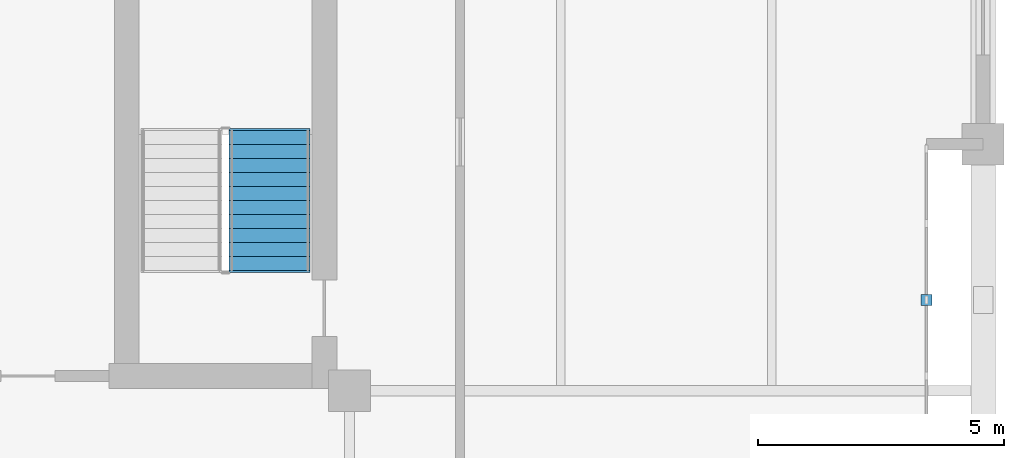
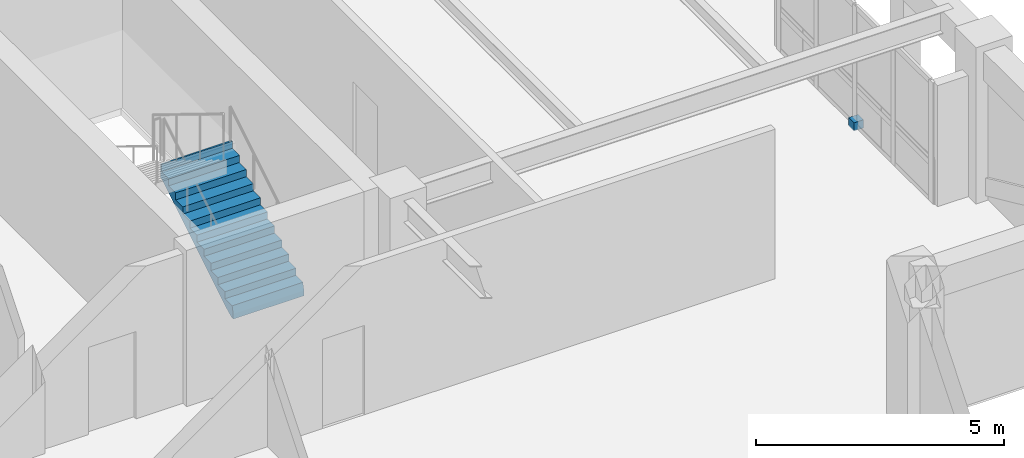
# One storey, part 7 of 8: 1 discrete accessory, 1 stair flight, 1 element without a shape of its own.
"""IFC4 building model written with IfcOpenShell, lengths in metres."""

from ifc_helpers import new_model, si_unit, direction, frame, origin, origin_2d, place, context, subcontext, project, spatial, polyline, rectangle, outline, extrude, material, type_object, element, aggregate, save


model = new_model("IFC4")

# Units and contexts
model_context = context("Model", 3, precision=1e-05, world=origin(), true_north=direction((0.0, 1.0)))
body_context = subcontext(model_context, "Body", "Model", "MODEL_VIEW")
ifc_project = project(units=[si_unit("LENGTHUNIT", "METRE"), si_unit("AREAUNIT", "SQUARE_METRE"), si_unit("VOLUMEUNIT", "CUBIC_METRE"), si_unit("PLANEANGLEUNIT", "RADIAN"), si_unit("MASSUNIT", "GRAM", prefix="KILO")], contexts=[model_context])

# Site, building, storey
site_placement = place(None, origin())
site = spatial("IfcSite", under=ifc_project, at=site_placement, CompositionType="ELEMENT")
building_placement = place(site_placement, origin())
building = spatial("IfcBuilding", under=site, at=building_placement, Name="Nhamokura Convention Tower", CompositionType="ELEMENT")
storey_placement = place(building_placement, frame((0.0, 0.0, 240.800048828125)))
storey = spatial("IfcBuildingStorey", under=building, at=storey_placement, Name="L59", CompositionType="ELEMENT", Elevation=240.800048828125)

# Stair, stair flight
ifc_material_1 = material(Name="Concrete C40/50", Category="concrete")
stair_type = type_object("IfcStairType", Name="TowerCoreStair_1650", PredefinedType="HALF_TURN_STAIR", material=ifc_material_1)
stair_placement = place(storey_placement, origin())
stair = element("IfcStair", 1, at=stair_placement, inside=storey, type_object=stair_type, Name="L59 East Core Smokeproof Stair ST-02", PredefinedType="HALF_TURN_STAIR")
ifc_material_2 = material(Name="Concrete C40/50", Category="concrete")
stair_flight_type = type_object("IfcStairFlightType", Name="TowerCoreStair_1650_Flight", PredefinedType="STRAIGHT", material=ifc_material_2)
stair_flight_placement = place(storey_placement, frame((41.72509765625, 23.10009765625, 0.0), z_axis=(0.0, 0.0, 1.0), x_axis=(0.0, 1.0, 0.0)))
stair_flight = element("IfcStairFlight", 2, at=stair_flight_placement, type_object=stair_flight_type, Name="ST-02 flight 1", NumberOfRisers=11, NumberOfTreads=10, PredefinedType="STRAIGHT", RiserHeight=0.175, TreadLength=0.285, context=body_context, shape_type="SweptSolid", body=[
    extrude(outline(polyline([(-0.0419921875, 0.0), (0.0, 0.175048828125), (0.284912109375, 0.175048828125), (0.284912109375, 0.35009765625), (0.570068359375, 0.35009765625), (0.570068359375, 0.52490234375), (0.85498046875, 0.52490234375), (0.85498046875, 0.699951171875), (1.139892578125, 0.699951171875), (1.139892578125, 0.875), (1.425048828125, 0.875), (1.425048828125, 1.050048828125), (1.7099609375, 1.050048828125), (1.7099609375, 1.22509765625), (1.9951171875, 1.22509765625), (1.9951171875, 1.39990234375), (2.280029296875, 1.39990234375), (2.280029296875, 1.574951171875), (2.56494140625, 1.574951171875), (2.56494140625, 1.75), (2.85009765625, 1.75), (2.85009765625, 1.925048828125), (2.89208984375, 1.925048828125), (2.89208984375, 1.573974609375), (2.85009765625, 1.573974609375), (0.286376953125, 0.0), (0.02001953125, -0.1298828125), (-0.0419921875, -0.1298828125), (-0.0419921875, 0.0)])), frame((0.0, 0.824951171875, 0.0), z_axis=(0.0, -1.0, 0.0), x_axis=(1.0, 0.0, 0.0)), (0.0, 0.0, 1.0), 1.64990234375),
])
aggregate(stair, [stair_flight])

# Discrete accessory
ifc_material_3 = material(Name="Steel ASTM A572 Gr 50", Category="steel")
discrete_accessory_type = type_object("IfcDiscreteAccessoryType", Name="FacadeOutstandBracket", PredefinedType="BRACKET", material=ifc_material_3)
discrete_accessory_placement = place(storey_placement, frame((55.10009765625, 22.5, -0.02001953125), z_axis=(0.0, 0.0, 1.0), x_axis=(1.0, 0.0, 0.0)))
element("IfcDiscreteAccessory", 3, at=discrete_accessory_placement, inside=storey, type_object=discrete_accessory_type, Name="L59 Scale Slot Base Shoe Bracket EAST 1", PredefinedType="BRACKET", context=body_context, shape_type="SweptSolid", body=[
    extrude(rectangle(XDim=0.219970703125, YDim=0.219970703125, at=origin_2d()), origin(), (0.0, 0.0, 1.0), 0.199951171875),
])

save(model, "model.ifc")
